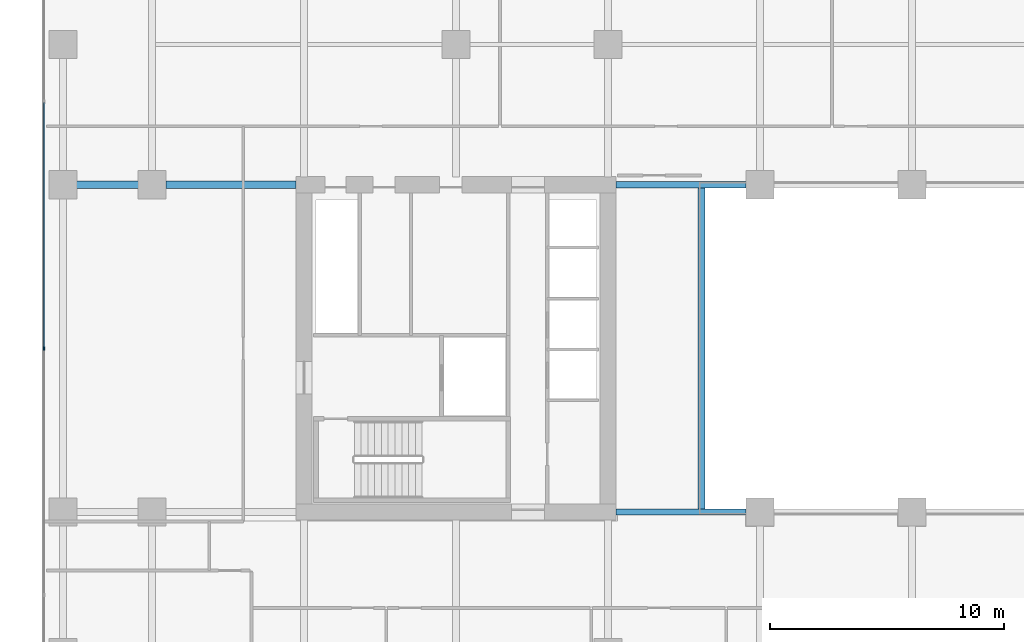
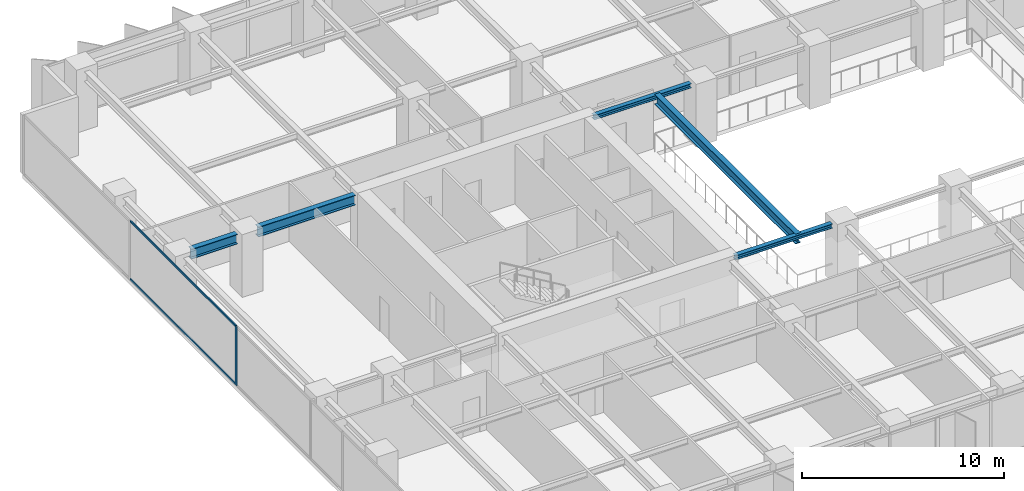
# One storey, part 4 of 20: 5 beams, 3 members, 1 element without a shape of its own.
"""IFC4 building model written with IfcOpenShell, lengths in metres."""

from ifc_helpers import new_model, si_unit, direction, frame, origin, origin_2d, place, context, subcontext, project, spatial, rectangle, i_section, extrude, material, layer, layer_set, material_profile, profile_set, type_object, element, aggregate, save


model = new_model("IFC4")

# Units and contexts
model_context = context("Model", 3, precision=1e-05, world=origin(), true_north=direction((0.0, 1.0)))
body_context = subcontext(model_context, "Body", "Model", "MODEL_VIEW")
ifc_project = project(units=[si_unit("LENGTHUNIT", "METRE"), si_unit("AREAUNIT", "SQUARE_METRE"), si_unit("VOLUMEUNIT", "CUBIC_METRE"), si_unit("PLANEANGLEUNIT", "RADIAN"), si_unit("MASSUNIT", "GRAM", prefix="KILO")], contexts=[model_context])

# Site, building, storey
site_placement = place(None, origin())
site = spatial("IfcSite", under=ifc_project, at=site_placement, CompositionType="ELEMENT")
building_placement = place(site_placement, origin())
building = spatial("IfcBuilding", under=site, at=building_placement, Name="Putna Gate Headquarters", CompositionType="ELEMENT")
storey_placement = place(building_placement, frame((0.0, 0.0, 97.39990234375)))
storey = spatial("IfcBuildingStorey", under=building, at=storey_placement, Name="L23", CompositionType="ELEMENT", Elevation=97.39990234375)

# Beams
ifc_material_1 = material(Name="Steel S355J2", Category="steel")
ifc_material_profile_1 = material_profile(ifc_material_1, i_section(OverallWidth=0.260009765625, OverallDepth=0.260009765625, WebThickness=0.010009765625, FlangeThickness=0.017578125, at=origin_2d()), Name="Steel S355J2")
ifc_profile_set_1 = profile_set([ifc_material_profile_1], Name="Steel S355J2")
beam_type_1 = type_object("IfcBeamType", Name="BM-ATRIUM-HEB260", PredefinedType="BEAM", material=ifc_profile_set_1)
for number, where, z_axis, x_axis, name in (
    (1, (26.3349609375, 19.0, 3.43505859375), (1.0, 0.0, 0.0), (0.0, 1.0, 0.0), "L23 Atrium Edge Beam AS1"),
    (2, (26.3349609375, 33.0, 3.43505859375), (1.0, 0.0, 0.0), (0.0, 1.0, 0.0), "L23 Atrium Edge Beam AN1"),
):
    element("IfcBeam", number, at=place(storey_placement, frame(where, z_axis=z_axis, x_axis=x_axis)), inside=storey, type_object=beam_type_1, Name=name, PredefinedType="BEAM", context=body_context, shape_type="SweptSolid", body=[
        extrude(i_section(OverallWidth=0.260009765625, OverallDepth=0.260009765625, WebThickness=0.010009765625, FlangeThickness=0.017578125, at=origin_2d()), origin(), (0.0, 0.0, 1.0), 5.5771484375),
    ])
ifc_material_profile_2 = material_profile(ifc_material_1, i_section(OverallWidth=0.300048828125, OverallDepth=0.60009765625, WebThickness=0.015380859375, FlangeThickness=0.030029296875, at=origin_2d()), Name="Steel S355J2")
ifc_profile_set_2 = profile_set([ifc_material_profile_2], Name="Steel S355J2")
beam_type_2 = type_object("IfcBeamType", Name="BM-GIRD-Z2-HEB600", PredefinedType="USERDEFINED", material=ifc_profile_set_2)
beam_1_placement = place(storey_placement, frame((3.26806640625, 33.0, 3.26513671875), z_axis=(1.0, 0.0, 0.0), x_axis=(0.0, 1.0, 0.0)))
element("IfcBeam", 3, at=beam_1_placement, inside=storey, type_object=beam_type_2, Name="L23 West Wing Girder Y33-1", ObjectType="GIRDER", PredefinedType="USERDEFINED", context=body_context, shape_type="SweptSolid", body=[
    extrude(i_section(OverallWidth=0.300048828125, OverallDepth=0.60009765625, WebThickness=0.015380859375, FlangeThickness=0.030029296875, at=origin_2d()), origin(), (0.0, 0.0, 1.0), 2.64404296875),
])
beam_2_placement = place(storey_placement, frame((7.087890625, 33.0, 3.26513671875), z_axis=(1.0, 0.0, 0.0), x_axis=(0.0, 1.0, 0.0)))
element("IfcBeam", 4, at=beam_2_placement, inside=storey, type_object=beam_type_2, Name="L23 West Wing Girder Y33-2", ObjectType="GIRDER", PredefinedType="USERDEFINED", context=body_context, shape_type="SweptSolid", body=[
    extrude(i_section(OverallWidth=0.300048828125, OverallDepth=0.60009765625, WebThickness=0.015380859375, FlangeThickness=0.030029296875, at=origin_2d()), origin(), (0.0, 0.0, 1.0), 5.5771484375),
])
beam_3_placement = place(storey_placement, frame((30.0, 19.010009765625, 3.26513671875), z_axis=(0.0, 1.0, 0.0), x_axis=(-1.0, 0.0, 0.0)))
element("IfcBeam", 5, at=beam_3_placement, inside=storey, type_object=beam_type_2, Name="L23 Atrium Trim Girder AW", ObjectType="GIRDER", PredefinedType="USERDEFINED", context=body_context, shape_type="SweptSolid", body=[
    extrude(i_section(OverallWidth=0.300048828125, OverallDepth=0.60009765625, WebThickness=0.015380859375, FlangeThickness=0.030029296875, at=origin_2d()), origin(), (0.0, 0.0, 1.0), 13.97998046875),
])

# Curtain wall, members
ifc_material_2 = material(Name="Anodised bronze aluminium curtain wall", Category="aluminium")
ifc_layer = layer(ifc_material_2, 0.159912109375)
ifc_layer_set = layer_set([ifc_layer], Name="Anodised bronze aluminium curtain wall")
curtain_wall_type = type_object("IfcCurtainWallType", Name="CW-SYS-Z2", PredefinedType="USERDEFINED", material=ifc_layer_set)
curtain_wall_placement = place(storey_placement, origin())
curtain_wall = element("IfcCurtainWall", 6, at=curtain_wall_placement, inside=storey, type_object=curtain_wall_type, Name="L23 West Curtain Wall", ObjectType="STICK CURTAIN WALL", PredefinedType="USERDEFINED")
ifc_material_3 = material(Name="Anodised bronze aluminium EN AW-6060", Category="aluminium")
ifc_material_profile_3 = material_profile(ifc_material_3, rectangle(XDim=0.06494140625, YDim=0.159912109375, at=origin_2d()), Name="Anodised bronze aluminium EN AW-6060")
ifc_profile_set_3 = profile_set([ifc_material_profile_3], Name="Anodised bronze aluminium EN AW-6060")
member_type_1 = type_object("IfcMemberType", Name="MULL-CWM-2", PredefinedType="MULLION", material=ifc_profile_set_3)
member_1_placement = place(storey_placement, frame((1.8798828125, 26.0, 0.0), z_axis=(0.0, 0.0, 1.0), x_axis=(-1.0, 0.0, 0.0)))
member_1 = element("IfcMember", 7, at=member_1_placement, type_object=member_type_1, Name="CWS-2 mullion 3", PredefinedType="MULLION", context=body_context, shape_type="SweptSolid", body=[
    extrude(rectangle(XDim=0.06494140625, YDim=0.159912109375, at=origin_2d()), origin(), (0.0, 0.0, 1.0), 3.565185546875),
])
ifc_material_profile_4 = material_profile(ifc_material_3, rectangle(XDim=0.06494140625, YDim=0.1201171875, at=origin_2d()), Name="Anodised bronze aluminium EN AW-6060")
ifc_profile_set_4 = profile_set([ifc_material_profile_4], Name="Anodised bronze aluminium EN AW-6060")
member_type_2 = type_object("IfcMemberType", Name="TRAN-CWT-2", PredefinedType="USERDEFINED", material=ifc_profile_set_4)
member_2_placement = place(storey_placement, frame((1.8798828125, 26.032470703125, 0.03271484375), z_axis=(0.0, 1.0, 0.0), x_axis=(-1.0, 0.0, 0.0)))
member_2 = element("IfcMember", 8, at=member_2_placement, type_object=member_type_2, Name="CWS-2 transom 3.1", ObjectType="TRANSOM", PredefinedType="USERDEFINED", context=body_context, shape_type="SweptSolid", body=[
    extrude(rectangle(XDim=0.06494140625, YDim=0.1201171875, at=origin_2d()), origin(), (0.0, 0.0, 1.0), 10.485107421875),
])
member_3_placement = place(storey_placement, frame((1.8798828125, 26.032470703125, 3.53271484375), z_axis=(0.0, 1.0, 0.0), x_axis=(-1.0, 0.0, 0.0)))
member_3 = element("IfcMember", 9, at=member_3_placement, type_object=member_type_2, Name="CWS-2 transom 3.2", ObjectType="TRANSOM", PredefinedType="USERDEFINED", context=body_context, shape_type="SweptSolid", body=[
    extrude(rectangle(XDim=0.06494140625, YDim=0.1201171875, at=origin_2d()), origin(), (0.0, 0.0, 1.0), 10.485107421875),
])
aggregate(curtain_wall, [member_1, member_2, member_3])

save(model, "model.ifc")
